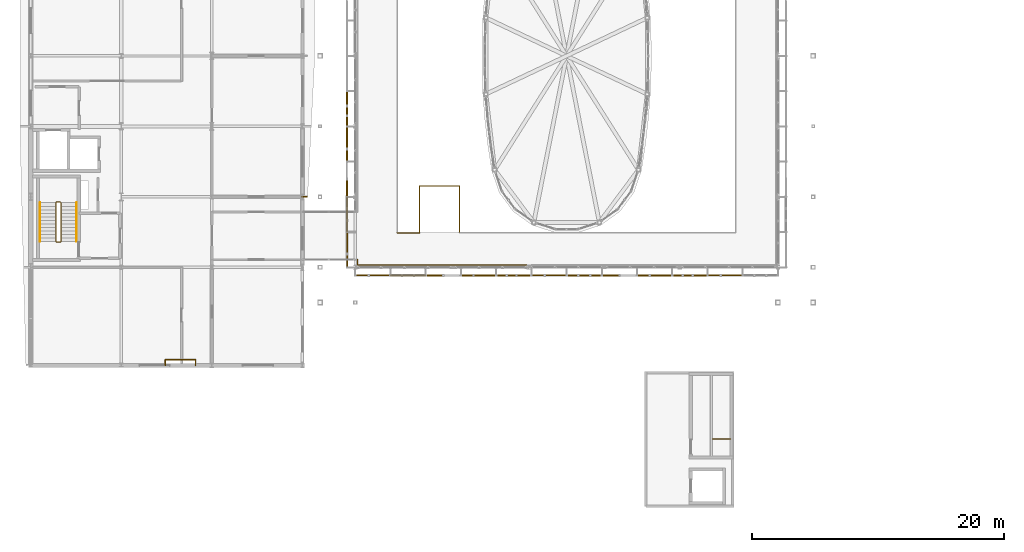
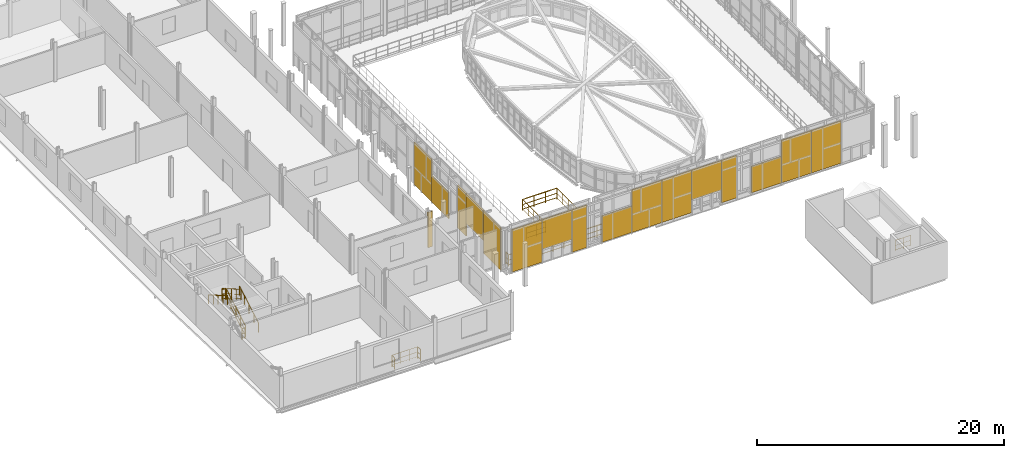
# One storey, part 73 of 78: 17 shading devices, 16 railings.
"""IFC4 building model written with IfcOpenShell, lengths in metres."""

from ifc_helpers import new_model, si_unit, direction, frame, origin, origin_2d, place, context, subcontext, project, spatial, rectangle, circle, extrude, material, type_object, element, save


model = new_model("IFC4")

# Units and contexts
model_context = context("Model", 3, precision=1e-05, world=origin(), true_north=direction((0.0, 1.0)))
body_context = subcontext(model_context, "Body", "Model", "MODEL_VIEW")
ifc_project = project(units=[si_unit("LENGTHUNIT", "METRE"), si_unit("AREAUNIT", "SQUARE_METRE"), si_unit("VOLUMEUNIT", "CUBIC_METRE"), si_unit("PLANEANGLEUNIT", "RADIAN"), si_unit("MASSUNIT", "GRAM", prefix="KILO")], contexts=[model_context])

# Site, building, storey
site_placement = place(None, origin())
site = spatial("IfcSite", under=ifc_project, at=site_placement, CompositionType="ELEMENT")
building_placement = place(site_placement, origin())
building = spatial("IfcBuilding", under=site, at=building_placement, Name="Vinh Khe Railworks Police Headquarters", CompositionType="ELEMENT")
storey_placement = place(building_placement, frame((0.0, 0.0, 13.199951171875)))
storey = spatial("IfcBuildingStorey", under=building, at=storey_placement, Name="L03", CompositionType="ELEMENT", Elevation=13.199951171875)

# Railings
ifc_material_1 = material(Name="Dark steel and laminated safety glass", Category="steel")
railing_type_1 = type_object("IfcRailingType", Name="RL-ATRIUM-1150", PredefinedType="BALUSTRADE", material=ifc_material_1)
railing_1_placement = place(storey_placement, frame((31.5, 31.64990234375, 0.0)))
element("IfcRailing", 1, at=railing_1_placement, inside=storey, type_object=railing_type_1, Name="L03 ST-08 top well guard 1", PredefinedType="BALUSTRADE", context=body_context, shape_type="SweptSolid", body=[
    extrude(circle(Radius=0.02392578125, at=origin_2d()), frame((0.0, 0.0, 1.076171875), z_axis=(1.0, 0.0, 0.0), x_axis=(0.0, 1.0, 0.0)), (0.0, 0.0, 1.0), 3.199951171875),
    extrude(circle(Radius=0.01416015625, at=origin_2d()), frame((0.0, 0.0, 0.132080078125), z_axis=(1.0, 0.0, 0.0), x_axis=(0.0, 1.0, 0.0)), (0.0, 0.0, 1.0), 3.199951171875),
    extrude(circle(Radius=0.01416015625, at=origin_2d()), frame((0.0, 0.0, 0.572021484375), z_axis=(1.0, 0.0, 0.0), x_axis=(0.0, 1.0, 0.0)), (0.0, 0.0, 1.0), 3.199951171875),
    extrude(circle(Radius=0.02099609375, at=origin_2d()), origin(), (0.0, 0.0, 1.0), 1.052001953125),
    extrude(circle(Radius=0.02099609375, at=origin_2d()), frame((1.066650390625, 0.0, 0.0)), (0.0, 0.0, 1.0), 1.052001953125),
    extrude(circle(Radius=0.02099609375, at=origin_2d()), frame((2.13330078125, 0.0, 0.0)), (0.0, 0.0, 1.0), 1.052001953125),
    extrude(circle(Radius=0.02099609375, at=origin_2d()), frame((3.199951171875, 0.0, 0.0)), (0.0, 0.0, 1.0), 1.052001953125),
])
for number, where, name in (
    (2, (34.699951171875, 28.0, 0.0), "L03 ST-08 top well guard 2"),
    (3, (31.5, 28.0, 0.0), "L03 ST-08 top well guard 3"),
):
    element("IfcRailing", number, at=place(storey_placement, frame(where)), inside=storey, type_object=railing_type_1, Name=name, PredefinedType="BALUSTRADE", context=body_context, shape_type="SweptSolid", body=[
        extrude(circle(Radius=0.02392578125, at=origin_2d()), frame((0.0, 0.0, 1.076171875), z_axis=(0.0, 1.0, 0.0), x_axis=(-1.0, 0.0, 0.0)), (0.0, 0.0, 1.0), 3.64990234375),
        extrude(circle(Radius=0.01416015625, at=origin_2d()), frame((0.0, 0.0, 0.132080078125), z_axis=(0.0, 1.0, 0.0), x_axis=(-1.0, 0.0, 0.0)), (0.0, 0.0, 1.0), 3.64990234375),
        extrude(circle(Radius=0.01416015625, at=origin_2d()), frame((0.0, 0.0, 0.572021484375), z_axis=(0.0, 1.0, 0.0), x_axis=(-1.0, 0.0, 0.0)), (0.0, 0.0, 1.0), 3.64990234375),
        extrude(circle(Radius=0.02099609375, at=origin_2d()), origin(), (0.0, 0.0, 1.0), 1.052001953125),
        extrude(circle(Radius=0.02099609375, at=origin_2d()), frame((0.0, 0.91259765625, 0.0)), (0.0, 0.0, 1.0), 1.052001953125),
        extrude(circle(Radius=0.02099609375, at=origin_2d()), frame((0.0, 1.824951171875, 0.0)), (0.0, 0.0, 1.0), 1.052001953125),
        extrude(circle(Radius=0.02099609375, at=origin_2d()), frame((0.0, 2.7373046875, 0.0)), (0.0, 0.0, 1.0), 1.052001953125),
        extrude(circle(Radius=0.02099609375, at=origin_2d()), frame((0.0, 3.64990234375, 0.0)), (0.0, 0.0, 1.0), 1.052001953125),
    ])
railing_2_placement = place(storey_placement, frame((31.52001953125, 27.93994140625, 0.0)))
element("IfcRailing", 4, at=railing_2_placement, inside=storey, type_object=railing_type_1, Name="Atrium Balustrade GR-V1HOLE-L03-1-02", PredefinedType="BALUSTRADE", context=body_context, shape_type="SweptSolid", body=[
    extrude(circle(Radius=0.02392578125, at=origin_2d()), frame((0.0, 0.0, 1.1259765625), z_axis=(-1.0, 0.0, 0.0), x_axis=(0.0, -1.0, 0.0)), (0.0, 0.0, 1.0), 1.780029296875),
    extrude(circle(Radius=0.01416015625, at=origin_2d()), frame((0.0, 0.0, 0.137939453125), z_axis=(-1.0, 0.0, 0.0), x_axis=(0.0, -1.0, 0.0)), (0.0, 0.0, 1.0), 1.780029296875),
    extrude(circle(Radius=0.01416015625, at=origin_2d()), frame((0.0, 0.0, 0.597900390625), z_axis=(-1.0, 0.0, 0.0), x_axis=(0.0, -1.0, 0.0)), (0.0, 0.0, 1.0), 1.780029296875),
    extrude(circle(Radius=0.02099609375, at=origin_2d()), origin(), (0.0, 0.0, 1.0), 1.101806640625),
    extrude(circle(Radius=0.02099609375, at=origin_2d()), frame((-0.89013671875, 0.0, 0.0)), (0.0, 0.0, 1.0), 1.101806640625),
    extrude(circle(Radius=0.02099609375, at=origin_2d()), frame((-1.780029296875, 0.0, 0.0)), (0.0, 0.0, 1.0), 1.101806640625),
])
railing_3_placement = place(storey_placement, frame((26.580078125, 25.3798828125, 0.0)))
element("IfcRailing", 5, at=railing_3_placement, inside=storey, type_object=railing_type_1, Name="Atrium Balustrade GR-V1PERIM-L03-01", PredefinedType="BALUSTRADE", context=body_context, shape_type="SweptSolid", body=[
    extrude(circle(Radius=0.02392578125, at=origin_2d()), frame((0.0, 0.0, 1.1259765625), z_axis=(1.0, 0.0, 0.0), x_axis=(0.0, 1.0, 0.0)), (0.0, 0.0, 1.0), 13.44482421875),
    extrude(circle(Radius=0.01416015625, at=origin_2d()), frame((0.0, 0.0, 0.137939453125), z_axis=(1.0, 0.0, 0.0), x_axis=(0.0, 1.0, 0.0)), (0.0, 0.0, 1.0), 13.44482421875),
    extrude(circle(Radius=0.01416015625, at=origin_2d()), frame((0.0, 0.0, 0.597900390625), z_axis=(1.0, 0.0, 0.0), x_axis=(0.0, 1.0, 0.0)), (0.0, 0.0, 1.0), 13.44482421875),
    extrude(circle(Radius=0.02099609375, at=origin_2d()), origin(), (0.0, 0.0, 1.0), 1.101806640625),
    extrude(circle(Radius=0.02099609375, at=origin_2d()), frame((1.0341796875, 0.0, 0.0)), (0.0, 0.0, 1.0), 1.101806640625),
    extrude(circle(Radius=0.02099609375, at=origin_2d()), frame((2.068359375, 0.0, 0.0)), (0.0, 0.0, 1.0), 1.101806640625),
    extrude(circle(Radius=0.02099609375, at=origin_2d()), frame((3.1025390625, 0.0, 0.0)), (0.0, 0.0, 1.0), 1.101806640625),
    extrude(circle(Radius=0.02099609375, at=origin_2d()), frame((4.136962890625, 0.0, 0.0)), (0.0, 0.0, 1.0), 1.101806640625),
    extrude(circle(Radius=0.02099609375, at=origin_2d()), frame((5.171142578125, 0.0, 0.0)), (0.0, 0.0, 1.0), 1.101806640625),
    extrude(circle(Radius=0.02099609375, at=origin_2d()), frame((6.205322265625, 0.0, 0.0)), (0.0, 0.0, 1.0), 1.101806640625),
    extrude(circle(Radius=0.02099609375, at=origin_2d()), frame((7.239501953125, 0.0, 0.0)), (0.0, 0.0, 1.0), 1.101806640625),
    extrude(circle(Radius=0.02099609375, at=origin_2d()), frame((8.273681640625, 0.0, 0.0)), (0.0, 0.0, 1.0), 1.101806640625),
    extrude(circle(Radius=0.02099609375, at=origin_2d()), frame((9.307861328125, 0.0, 0.0)), (0.0, 0.0, 1.0), 1.101806640625),
    extrude(circle(Radius=0.02099609375, at=origin_2d()), frame((10.34228515625, 0.0, 0.0)), (0.0, 0.0, 1.0), 1.101806640625),
    extrude(circle(Radius=0.02099609375, at=origin_2d()), frame((11.37646484375, 0.0, 0.0)), (0.0, 0.0, 1.0), 1.101806640625),
    extrude(circle(Radius=0.02099609375, at=origin_2d()), frame((12.41064453125, 0.0, 0.0)), (0.0, 0.0, 1.0), 1.101806640625),
    extrude(circle(Radius=0.02099609375, at=origin_2d()), frame((13.44482421875, 0.0, 0.0)), (0.0, 0.0, 1.0), 1.101806640625),
])
railing_4_placement = place(storey_placement, frame((26.580078125, 25.820068359375, 0.0)))
element("IfcRailing", 6, at=railing_4_placement, inside=storey, type_object=railing_type_1, Name="Atrium Balustrade GR-V1PERIM-L03-05", PredefinedType="BALUSTRADE", context=body_context, shape_type="SweptSolid", body=[
    extrude(circle(Radius=0.02392578125, at=origin_2d()), frame((0.0, 0.0, 1.1259765625), z_axis=(0.0, -1.0, 0.0), x_axis=(1.0, 0.0, 0.0)), (0.0, 0.0, 1.0), 0.440185546875),
    extrude(circle(Radius=0.01416015625, at=origin_2d()), frame((0.0, 0.0, 0.137939453125), z_axis=(0.0, -1.0, 0.0), x_axis=(1.0, 0.0, 0.0)), (0.0, 0.0, 1.0), 0.440185546875),
    extrude(circle(Radius=0.01416015625, at=origin_2d()), frame((0.0, 0.0, 0.597900390625), z_axis=(0.0, -1.0, 0.0), x_axis=(1.0, 0.0, 0.0)), (0.0, 0.0, 1.0), 0.440185546875),
    extrude(circle(Radius=0.02099609375, at=origin_2d()), origin(), (0.0, 0.0, 1.0), 1.101806640625),
    extrude(circle(Radius=0.02099609375, at=origin_2d()), frame((0.0, -0.440185546875, 0.0)), (0.0, 0.0, 1.0), 1.101806640625),
])
ifc_material_2 = material(Name="Painted tubular steel", Category="steel")
railing_type_2 = type_object("IfcRailingType", Name="RL-GUARD-1100", PredefinedType="GUARDRAIL", material=ifc_material_2)
railing_5_placement = place(storey_placement, frame((3.0, 27.25, 0.16259765625)))
element("IfcRailing", 7, at=railing_5_placement, inside=storey, type_object=railing_type_2, Name="L03 ST-01 stair guard 1", PredefinedType="GUARDRAIL", context=body_context, shape_type="SweptSolid", body=[
    extrude(circle(Radius=0.02392578125, at=origin_2d()), frame((0.0, 0.0, 1.076171875), z_axis=(0.0, 0.864920483161, 0.501908913857), x_axis=(-1.0, 0.0, 0.0)), (0.0, 0.0, 1.0), 3.56103515625),
    extrude(circle(Radius=0.01416015625, at=origin_2d()), frame((0.0, 0.0, 0.132080078125), z_axis=(0.0, 0.864920483161, 0.501908913857), x_axis=(-1.0, 0.0, 0.0)), (0.0, 0.0, 1.0), 3.56103515625),
    extrude(circle(Radius=0.01416015625, at=origin_2d()), frame((0.0, 0.0, 0.572021484375), z_axis=(0.0, 0.864920483161, 0.501908913857), x_axis=(-1.0, 0.0, 0.0)), (0.0, 0.0, 1.0), 3.56103515625),
    extrude(circle(Radius=0.02099609375, at=origin_2d()), origin(), (0.0, 0.0, 1.0), 1.052001953125),
    extrude(circle(Radius=0.02099609375, at=origin_2d()), frame((0.0, 0.77001953125, 0.44677734375)), (0.0, 0.0, 1.0), 1.052001953125),
    extrude(circle(Radius=0.02099609375, at=origin_2d()), frame((0.0, 1.5400390625, 0.8935546875)), (0.0, 0.0, 1.0), 1.052001953125),
    extrude(circle(Radius=0.02099609375, at=origin_2d()), frame((0.0, 2.31005859375, 1.340576171875)), (0.0, 0.0, 1.0), 1.052001953125),
    extrude(circle(Radius=0.02099609375, at=origin_2d()), frame((0.0, 3.080078125, 1.787353515625)), (0.0, 0.0, 1.0), 1.052001953125),
])
railing_6_placement = place(storey_placement, frame((2.949951171875, 30.3798828125, 1.949951171875)))
element("IfcRailing", 8, at=railing_6_placement, inside=storey, type_object=railing_type_2, Name="L03 ST-01 stair guard 2", PredefinedType="GUARDRAIL", context=body_context, shape_type="SweptSolid", body=[
    extrude(circle(Radius=0.02392578125, at=origin_2d()), frame((0.0, 0.0, 1.076171875), z_axis=(-1.0, 0.0, 0.0), x_axis=(0.0, -1.0, 0.0)), (0.0, 0.0, 1.0), 0.300048828125),
    extrude(circle(Radius=0.01416015625, at=origin_2d()), frame((0.0, 0.0, 0.132080078125), z_axis=(-1.0, 0.0, 0.0), x_axis=(0.0, -1.0, 0.0)), (0.0, 0.0, 1.0), 0.300048828125),
    extrude(circle(Radius=0.01416015625, at=origin_2d()), frame((0.0, 0.0, 0.572021484375), z_axis=(-1.0, 0.0, 0.0), x_axis=(0.0, -1.0, 0.0)), (0.0, 0.0, 1.0), 0.300048828125),
    extrude(circle(Radius=0.02099609375, at=origin_2d()), origin(), (0.0, 0.0, 1.0), 1.052001953125),
    extrude(circle(Radius=0.02099609375, at=origin_2d()), frame((-0.300048828125, 0.0, 0.0)), (0.0, 0.0, 1.0), 1.052001953125),
])
railing_7_placement = place(storey_placement, frame((2.60009765625, 30.330078125, 2.112548828125)))
element("IfcRailing", 9, at=railing_7_placement, inside=storey, type_object=railing_type_2, Name="L03 ST-01 stair guard 3", PredefinedType="GUARDRAIL", context=body_context, shape_type="SweptSolid", body=[
    extrude(circle(Radius=0.02392578125, at=origin_2d()), frame((0.0, 0.0, 1.076171875), z_axis=(0.0, -0.864890721111, 0.501960198159), x_axis=(1.0, 0.0, 0.0)), (0.0, 0.0, 1.0), 3.561279296875),
    extrude(circle(Radius=0.01416015625, at=origin_2d()), frame((0.0, 0.0, 0.132080078125), z_axis=(0.0, -0.864890721111, 0.501960198159), x_axis=(1.0, 0.0, 0.0)), (0.0, 0.0, 1.0), 3.561279296875),
    extrude(circle(Radius=0.01416015625, at=origin_2d()), frame((0.0, 0.0, 0.572021484375), z_axis=(0.0, -0.864890721111, 0.501960198159), x_axis=(1.0, 0.0, 0.0)), (0.0, 0.0, 1.0), 3.561279296875),
    extrude(circle(Radius=0.02099609375, at=origin_2d()), origin(), (0.0, 0.0, 1.0), 1.052001953125),
    extrude(circle(Radius=0.02099609375, at=origin_2d()), frame((0.0, -0.77001953125, 0.44677734375)), (0.0, 0.0, 1.0), 1.052001953125),
    extrude(circle(Radius=0.02099609375, at=origin_2d()), frame((0.0, -1.5400390625, 0.893798828125)), (0.0, 0.0, 1.0), 1.052001953125),
    extrude(circle(Radius=0.02099609375, at=origin_2d()), frame((0.0, -2.31005859375, 1.3408203125)), (0.0, 0.0, 1.0), 1.052001953125),
    extrude(circle(Radius=0.02099609375, at=origin_2d()), frame((0.0, -3.080078125, 1.78759765625)), (0.0, 0.0, 1.0), 1.052001953125),
])
railing_8_placement = place(storey_placement, frame((2.949951171875, 27.199951171875, 0.0)))
element("IfcRailing", 10, at=railing_8_placement, inside=storey, type_object=railing_type_2, Name="L03 ST-01 stair guard 4", PredefinedType="GUARDRAIL", context=body_context, shape_type="SweptSolid", body=[
    extrude(circle(Radius=0.02392578125, at=origin_2d()), frame((0.0, 0.0, 1.076171875), z_axis=(-1.0, 0.0, 0.0), x_axis=(0.0, -1.0, 0.0)), (0.0, 0.0, 1.0), 0.300048828125),
    extrude(circle(Radius=0.01416015625, at=origin_2d()), frame((0.0, 0.0, 0.132080078125), z_axis=(-1.0, 0.0, 0.0), x_axis=(0.0, -1.0, 0.0)), (0.0, 0.0, 1.0), 0.300048828125),
    extrude(circle(Radius=0.01416015625, at=origin_2d()), frame((0.0, 0.0, 0.572021484375), z_axis=(-1.0, 0.0, 0.0), x_axis=(0.0, -1.0, 0.0)), (0.0, 0.0, 1.0), 0.300048828125),
    extrude(circle(Radius=0.02099609375, at=origin_2d()), origin(), (0.0, 0.0, 1.0), 1.052001953125),
    extrude(circle(Radius=0.02099609375, at=origin_2d()), frame((-0.300048828125, 0.0, 0.0)), (0.0, 0.0, 1.0), 1.052001953125),
])
railing_9_placement = place(storey_placement, frame((54.7900390625, 11.5400390625, 0.0)))
element("IfcRailing", 11, at=railing_9_placement, inside=storey, type_object=railing_type_2, Name="L03 ST-05 top well guard 1", PredefinedType="GUARDRAIL", context=body_context, shape_type="SweptSolid", body=[
    extrude(circle(Radius=0.02392578125, at=origin_2d()), frame((0.0, 0.0, 1.076171875), z_axis=(1.0, 0.0, 0.0), x_axis=(0.0, 1.0, 0.0)), (0.0, 0.0, 1.0), 1.449951171875),
    extrude(circle(Radius=0.01416015625, at=origin_2d()), frame((0.0, 0.0, 0.132080078125), z_axis=(1.0, 0.0, 0.0), x_axis=(0.0, 1.0, 0.0)), (0.0, 0.0, 1.0), 1.449951171875),
    extrude(circle(Radius=0.01416015625, at=origin_2d()), frame((0.0, 0.0, 0.572021484375), z_axis=(1.0, 0.0, 0.0), x_axis=(0.0, 1.0, 0.0)), (0.0, 0.0, 1.0), 1.449951171875),
    extrude(circle(Radius=0.02099609375, at=origin_2d()), origin(), (0.0, 0.0, 1.0), 1.052001953125),
    extrude(circle(Radius=0.02099609375, at=origin_2d()), frame((0.72509765625, 0.0, 0.0)), (0.0, 0.0, 1.0), 1.052001953125),
    extrude(circle(Radius=0.02099609375, at=origin_2d()), frame((1.449951171875, 0.0, 0.0)), (0.0, 0.0, 1.0), 1.052001953125),
])
railing_10_placement = place(storey_placement, frame((11.300048828125, 17.39990234375, 0.0)))
element("IfcRailing", 12, at=railing_10_placement, inside=storey, type_object=railing_type_2, Name="Slab Corner Notch Guard L03-90", PredefinedType="GUARDRAIL", context=body_context, shape_type="SweptSolid", body=[
    extrude(circle(Radius=0.02392578125, at=origin_2d()), frame((0.0, 0.0, 1.09619140625), z_axis=(0.0, 1.0, 0.0), x_axis=(-1.0, 0.0, 0.0)), (0.0, 0.0, 1.0), 0.4501953125),
    extrude(circle(Radius=0.01416015625, at=origin_2d()), frame((0.0, 0.0, 0.134521484375), z_axis=(0.0, 1.0, 0.0), x_axis=(-1.0, 0.0, 0.0)), (0.0, 0.0, 1.0), 0.4501953125),
    extrude(circle(Radius=0.01416015625, at=origin_2d()), frame((0.0, 0.0, 0.58251953125), z_axis=(0.0, 1.0, 0.0), x_axis=(-1.0, 0.0, 0.0)), (0.0, 0.0, 1.0), 0.4501953125),
    extrude(circle(Radius=0.02099609375, at=origin_2d()), origin(), (0.0, 0.0, 1.0), 1.072021484375),
    extrude(circle(Radius=0.02099609375, at=origin_2d()), frame((0.0, 0.4501953125, 0.0)), (0.0, 0.0, 1.0), 1.072021484375),
])
railing_11_placement = place(storey_placement, frame((11.300048828125, 17.85009765625, 0.0)))
element("IfcRailing", 13, at=railing_11_placement, inside=storey, type_object=railing_type_2, Name="Slab Corner Notch Guard L03-91", PredefinedType="GUARDRAIL", context=body_context, shape_type="SweptSolid", body=[
    extrude(circle(Radius=0.02392578125, at=origin_2d()), frame((0.0, 0.0, 1.09619140625), z_axis=(1.0, 0.0, 0.0), x_axis=(0.0, 1.0, 0.0)), (0.0, 0.0, 1.0), 2.39990234375),
    extrude(circle(Radius=0.01416015625, at=origin_2d()), frame((0.0, 0.0, 0.134521484375), z_axis=(1.0, 0.0, 0.0), x_axis=(0.0, 1.0, 0.0)), (0.0, 0.0, 1.0), 2.39990234375),
    extrude(circle(Radius=0.01416015625, at=origin_2d()), frame((0.0, 0.0, 0.58251953125), z_axis=(1.0, 0.0, 0.0), x_axis=(0.0, 1.0, 0.0)), (0.0, 0.0, 1.0), 2.39990234375),
    extrude(circle(Radius=0.02099609375, at=origin_2d()), origin(), (0.0, 0.0, 1.0), 1.072021484375),
    extrude(circle(Radius=0.02099609375, at=origin_2d()), frame((0.800048828125, 0.0, 0.0)), (0.0, 0.0, 1.0), 1.072021484375),
    extrude(circle(Radius=0.02099609375, at=origin_2d()), frame((1.599853515625, 0.0, 0.0)), (0.0, 0.0, 1.0), 1.072021484375),
    extrude(circle(Radius=0.02099609375, at=origin_2d()), frame((2.39990234375, 0.0, 0.0)), (0.0, 0.0, 1.0), 1.072021484375),
])
railing_12_placement = place(storey_placement, frame((13.699951171875, 17.85009765625, 0.0)))
element("IfcRailing", 14, at=railing_12_placement, inside=storey, type_object=railing_type_2, Name="Slab Corner Notch Guard L03-92", PredefinedType="GUARDRAIL", context=body_context, shape_type="SweptSolid", body=[
    extrude(circle(Radius=0.02392578125, at=origin_2d()), frame((0.0, 0.0, 1.09619140625), z_axis=(0.0, -1.0, 0.0), x_axis=(1.0, 0.0, 0.0)), (0.0, 0.0, 1.0), 0.4501953125),
    extrude(circle(Radius=0.01416015625, at=origin_2d()), frame((0.0, 0.0, 0.134521484375), z_axis=(0.0, -1.0, 0.0), x_axis=(1.0, 0.0, 0.0)), (0.0, 0.0, 1.0), 0.4501953125),
    extrude(circle(Radius=0.01416015625, at=origin_2d()), frame((0.0, 0.0, 0.58251953125), z_axis=(0.0, -1.0, 0.0), x_axis=(1.0, 0.0, 0.0)), (0.0, 0.0, 1.0), 0.4501953125),
    extrude(circle(Radius=0.02099609375, at=origin_2d()), origin(), (0.0, 0.0, 1.0), 1.072021484375),
    extrude(circle(Radius=0.02099609375, at=origin_2d()), frame((0.0, -0.4501953125, 0.0)), (0.0, 0.0, 1.0), 1.072021484375),
])
ifc_material_3 = material(Name="Brushed stainless steel", Category="steel")
railing_type_3 = type_object("IfcRailingType", Name="RL-HAND-900", PredefinedType="HANDRAIL", material=ifc_material_3)
railing_13_placement = place(storey_placement, frame((4.25, 27.25, 0.16259765625)))
element("IfcRailing", 15, at=railing_13_placement, inside=storey, type_object=railing_type_3, Name="L03 ST-01 stair handrail 1", PredefinedType="HANDRAIL", context=body_context, shape_type="SweptSolid", body=[
    extrude(circle(Radius=0.02392578125, at=origin_2d()), frame((0.0, 0.0, 0.8759765625), z_axis=(0.0, 0.864920483161, 0.501908913857), x_axis=(-1.0, 0.0, 0.0)), (0.0, 0.0, 1.0), 3.56103515625),
    extrude(circle(Radius=0.02099609375, at=origin_2d()), origin(), (0.0, 0.0, 1.0), 0.851806640625),
    extrude(circle(Radius=0.02099609375, at=origin_2d()), frame((0.0, 0.77001953125, 0.44677734375)), (0.0, 0.0, 1.0), 0.851806640625),
    extrude(circle(Radius=0.02099609375, at=origin_2d()), frame((0.0, 1.5400390625, 0.8935546875)), (0.0, 0.0, 1.0), 0.851806640625),
    extrude(circle(Radius=0.02099609375, at=origin_2d()), frame((0.0, 2.31005859375, 1.340576171875)), (0.0, 0.0, 1.0), 0.851806640625),
    extrude(circle(Radius=0.02099609375, at=origin_2d()), frame((0.0, 3.080078125, 1.787353515625)), (0.0, 0.0, 1.0), 0.851806640625),
])
railing_14_placement = place(storey_placement, frame((1.35009765625, 30.330078125, 2.112548828125)))
element("IfcRailing", 16, at=railing_14_placement, inside=storey, type_object=railing_type_3, Name="L03 ST-01 stair handrail 2", PredefinedType="HANDRAIL", context=body_context, shape_type="SweptSolid", body=[
    extrude(circle(Radius=0.02392578125, at=origin_2d()), frame((0.0, 0.0, 0.8759765625), z_axis=(0.0, -0.864890721111, 0.501960198159), x_axis=(1.0, 0.0, 0.0)), (0.0, 0.0, 1.0), 3.561279296875),
    extrude(circle(Radius=0.02099609375, at=origin_2d()), origin(), (0.0, 0.0, 1.0), 0.851806640625),
    extrude(circle(Radius=0.02099609375, at=origin_2d()), frame((0.0, -0.77001953125, 0.44677734375)), (0.0, 0.0, 1.0), 0.851806640625),
    extrude(circle(Radius=0.02099609375, at=origin_2d()), frame((0.0, -1.5400390625, 0.893798828125)), (0.0, 0.0, 1.0), 0.851806640625),
    extrude(circle(Radius=0.02099609375, at=origin_2d()), frame((0.0, -2.31005859375, 1.3408203125)), (0.0, 0.0, 1.0), 0.851806640625),
    extrude(circle(Radius=0.02099609375, at=origin_2d()), frame((0.0, -3.080078125, 1.78759765625)), (0.0, 0.0, 1.0), 0.851806640625),
])

# Shading devices
ifc_material_4 = material(Name="Salvaged ironwood timber", Category="wood")
shading_device_type_1 = type_object("IfcShadingDeviceType", Name="SHD-MSF-01", PredefinedType="JALOUSIE", material=ifc_material_4)
shading_device_1_placement = place(storey_placement, frame((22.360107421875, 30.800048828125, 0.10009765625), z_axis=(0.0, 0.0, 1.0), x_axis=(1.0, 0.0, 0.0)))
element("IfcShadingDevice", 17, at=shading_device_1_placement, inside=storey, type_object=shading_device_type_1, Name="Monsoon Court Solar Fin V5 L03-1", PredefinedType="JALOUSIE", context=body_context, shape_type="SweptSolid", body=[
    extrude(rectangle(XDim=0.419921875, YDim=0.080078125, at=origin_2d()), origin(), (0.0, 0.0, 1.0), 3.5),
])
shading_device_type_2 = type_object("IfcShadingDeviceType", Name="SHD-QS-01", PredefinedType="JALOUSIE", material=ifc_material_4)
shading_device_2_placement = place(storey_placement, frame((30.60009765625, 24.550048828125, 1.260009765625), z_axis=(0.0, 0.0, 1.0), x_axis=(1.0, 0.0, 0.0)))
element("IfcShadingDevice", 18, at=shading_device_2_placement, inside=storey, type_object=shading_device_type_2, Name="Salvaged Ironwood Upper Quilt Frame S-2", PredefinedType="JALOUSIE", context=body_context, shape_type="SweptSolid", body=[
    extrude(rectangle(XDim=2.800048828125, YDim=0.090087890625, at=origin_2d()), origin(), (0.0, 0.0, 1.0), 2.93994140625),
])
shading_device_3_placement = place(storey_placement, frame((36.199951171875, 24.550048828125, 0.0), z_axis=(0.0, 0.0, 1.0), x_axis=(1.0, 0.0, 0.0)))
element("IfcShadingDevice", 19, at=shading_device_3_placement, inside=storey, type_object=shading_device_type_2, Name="Salvaged Ironwood Quilt Casement S-4", PredefinedType="JALOUSIE", context=body_context, shape_type="SweptSolid", body=[
    extrude(rectangle(XDim=2.800048828125, YDim=0.090087890625, at=origin_2d()), origin(), (0.0, 0.0, 1.0), 2.60400390625),
])
shading_device_4_placement = place(storey_placement, frame((44.60009765625, 24.550048828125, 1.260009765625), z_axis=(0.0, 0.0, 1.0), x_axis=(1.0, 0.0, 0.0)))
element("IfcShadingDevice", 20, at=shading_device_4_placement, inside=storey, type_object=shading_device_type_2, Name="Salvaged Ironwood Upper Quilt Frame S-7", PredefinedType="JALOUSIE", context=body_context, shape_type="SweptSolid", body=[
    extrude(rectangle(XDim=2.800048828125, YDim=0.090087890625, at=origin_2d()), origin(), (0.0, 0.0, 1.0), 2.93994140625),
])
shading_device_5_placement = place(storey_placement, frame((50.199951171875, 24.550048828125, 0.0), z_axis=(0.0, 0.0, 1.0), x_axis=(1.0, 0.0, 0.0)))
element("IfcShadingDevice", 21, at=shading_device_5_placement, inside=storey, type_object=shading_device_type_2, Name="Salvaged Ironwood Quilt Casement S-9", PredefinedType="JALOUSIE", context=body_context, shape_type="SweptSolid", body=[
    extrude(rectangle(XDim=2.800048828125, YDim=0.090087890625, at=origin_2d()), origin(), (0.0, 0.0, 1.0), 2.60400390625),
])
shading_device_6_placement = place(storey_placement, frame((25.75, 29.39990234375, 1.260009765625), z_axis=(0.0, 0.0, 1.0), x_axis=(0.0, 1.0, 0.0)))
element("IfcShadingDevice", 22, at=shading_device_6_placement, inside=storey, type_object=shading_device_type_2, Name="Salvaged Ironwood Upper Quilt Frame W-2", PredefinedType="JALOUSIE", context=body_context, shape_type="SweptSolid", body=[
    extrude(rectangle(XDim=2.800048828125, YDim=0.090087890625, at=origin_2d()), origin(), (0.0, 0.0, 1.0), 2.93994140625),
])
shading_device_7_placement = place(storey_placement, frame((25.75, 35.0, 0.0), z_axis=(0.0, 0.0, 1.0), x_axis=(0.0, 1.0, 0.0)))
element("IfcShadingDevice", 23, at=shading_device_7_placement, inside=storey, type_object=shading_device_type_2, Name="Salvaged Ironwood Quilt Casement W-4", PredefinedType="JALOUSIE", context=body_context, shape_type="SweptSolid", body=[
    extrude(rectangle(XDim=2.800048828125, YDim=0.090087890625, at=origin_2d()), origin(), (0.0, 0.0, 1.0), 2.60400390625),
])
shading_device_type_3 = type_object("IfcShadingDeviceType", Name="SHD-QS-02", PredefinedType="JALOUSIE", material=ifc_material_4)
for number, where, z_axis, x_axis, name in (
    (24, (32.699951171875, 24.550048828125, 0.0), (0.0, 0.0, 1.0), (1.0, 0.0, 0.0), "Ironwood Tall Quilt Casement S-3L"),
    (25, (46.699951171875, 24.550048828125, 0.0), (0.0, 0.0, 1.0), (1.0, 0.0, 0.0), "Ironwood Tall Quilt Casement S-8L"),
    (26, (25.75, 31.5, 0.0), (0.0, 0.0, 1.0), (0.0, 1.0, 0.0), "Ironwood Tall Quilt Casement W-3L"),
):
    element("IfcShadingDevice", number, at=place(storey_placement, frame(where, z_axis=z_axis, x_axis=x_axis)), inside=storey, type_object=shading_device_type_3, Name=name, PredefinedType="JALOUSIE", context=body_context, shape_type="SweptSolid", body=[
        extrude(rectangle(XDim=1.39990234375, YDim=0.090087890625, at=origin_2d()), origin(), (0.0, 0.0, 1.0), 4.199951171875),
    ])
ifc_material_5 = material(Name="Weathered architectural steel", Category="steel")
shading_device_type_4 = type_object("IfcShadingDeviceType", Name="SHD-QS-03", PredefinedType="SHUTTER", material=ifc_material_5)
for number, where, z_axis, x_axis, name in (
    (27, (27.800048828125, 24.550048828125, 0.0), (0.0, 0.0, 1.0), (1.0, 0.0, 0.0), "Dark Steel Patchwork Casement Frame S-1"),
    (28, (41.800048828125, 24.550048828125, 0.0), (0.0, 0.0, 1.0), (1.0, 0.0, 0.0), "Dark Steel Patchwork Casement Frame S-6"),
    (29, (55.800048828125, 24.550048828125, 0.0), (0.0, 0.0, 1.0), (1.0, 0.0, 0.0), "Dark Steel Patchwork Casement Frame S-11"),
    (30, (25.75, 26.60009765625, 0.0), (0.0, 0.0, 1.0), (0.0, 1.0, 0.0), "Dark Steel Patchwork Casement Frame W-1"),
):
    element("IfcShadingDevice", number, at=place(storey_placement, frame(where, z_axis=z_axis, x_axis=x_axis)), inside=storey, type_object=shading_device_type_4, Name=name, PredefinedType="SHUTTER", context=body_context, shape_type="SweptSolid", body=[
        extrude(rectangle(XDim=2.800048828125, YDim=0.080078125, at=origin_2d()), origin(), (0.0, 0.0, 1.0), 4.199951171875),
    ])
shading_device_type_5 = type_object("IfcShadingDeviceType", Name="SHD-QS-04", PredefinedType="SHUTTER", material=ifc_material_4)
for number, where, z_axis, x_axis, name in (
    (31, (39.0, 24.550048828125, 0.0), (0.0, 0.0, 1.0), (1.0, 0.0, 0.0), "Shuttered Ironwood Casement S-5"),
    (32, (53.0, 24.550048828125, 0.0), (0.0, 0.0, 1.0), (1.0, 0.0, 0.0), "Shuttered Ironwood Casement S-10"),
    (33, (25.75, 37.800048828125, 0.0), (0.0, 0.0, 1.0), (0.0, 1.0, 0.0), "Shuttered Ironwood Casement W-5"),
):
    element("IfcShadingDevice", number, at=place(storey_placement, frame(where, z_axis=z_axis, x_axis=x_axis)), inside=storey, type_object=shading_device_type_5, Name=name, PredefinedType="SHUTTER", context=body_context, shape_type="SweptSolid", body=[
        extrude(rectangle(XDim=2.800048828125, YDim=0.090087890625, at=origin_2d()), origin(), (0.0, 0.0, 1.0), 4.199951171875),
    ])

save(model, "model.ifc")
